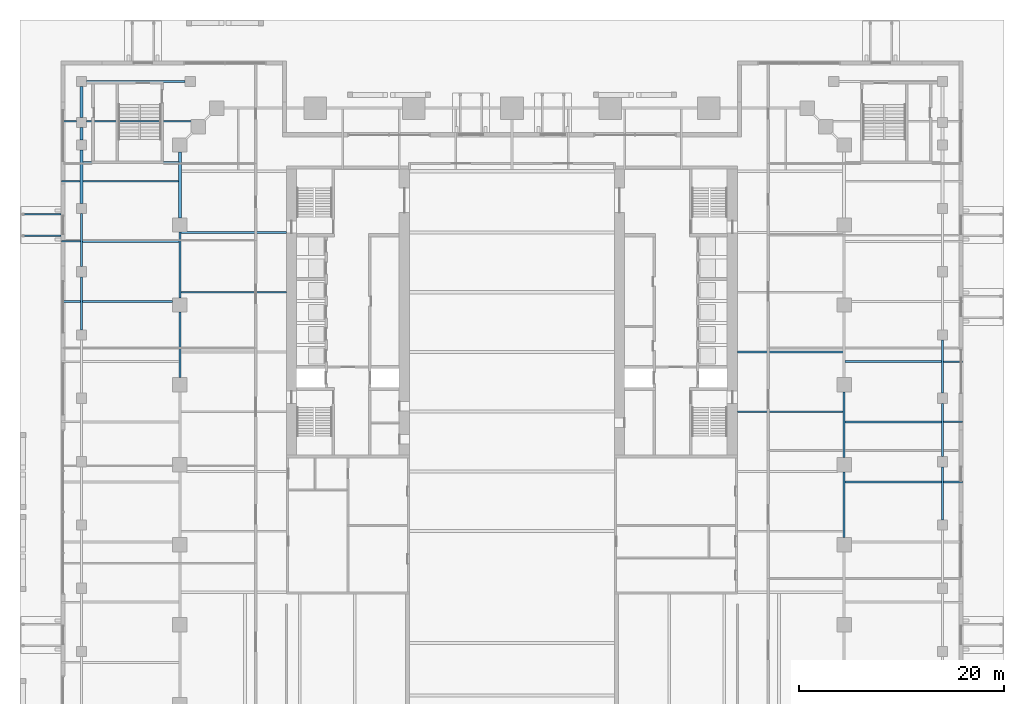
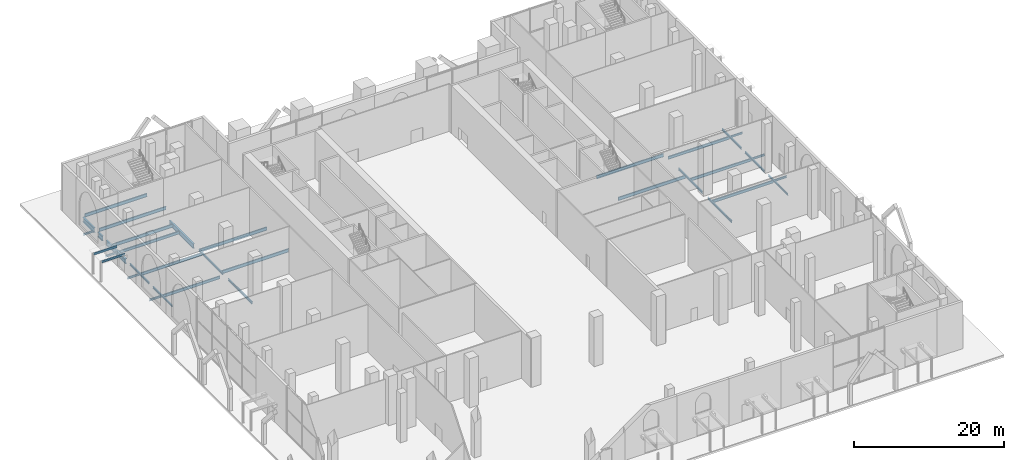
# One storey, part 22 of 38: 35 beams.
"""IFC4 building model written with IfcOpenShell, lengths in metres."""

from ifc_helpers import new_model, si_unit, direction, frame, origin, origin_2d, place, context, subcontext, project, spatial, i_section, extrude, material, material_profile, profile_set, type_object, element, save


model = new_model("IFC4")

# Units and contexts
model_context = context("Model", 3, precision=1e-05, world=origin(), true_north=direction((0.0, 1.0)))
body_context = subcontext(model_context, "Body", "Model", "MODEL_VIEW")
ifc_project = project(units=[si_unit("LENGTHUNIT", "METRE"), si_unit("AREAUNIT", "SQUARE_METRE"), si_unit("VOLUMEUNIT", "CUBIC_METRE"), si_unit("PLANEANGLEUNIT", "RADIAN"), si_unit("MASSUNIT", "GRAM", prefix="KILO")], contexts=[model_context])

# Site, building, storey
site_placement = place(None, origin())
site = spatial("IfcSite", under=ifc_project, at=site_placement, CompositionType="ELEMENT")
building_placement = place(site_placement, origin())
building = spatial("IfcBuilding", under=site, at=building_placement, Name="Ogive Exchange Tower", CompositionType="ELEMENT")
storey_placement = place(building_placement, origin())
storey = spatial("IfcBuildingStorey", under=building, at=storey_placement, Name="L00", CompositionType="ELEMENT", Elevation=0.0)

# Beams
ifc_material = material(Name="Steel ASTM A992 Gr50", Category="steel")
ifc_material_profile_1 = material_profile(ifc_material, i_section(OverallWidth=0.1650390625, OverallDepth=0.31005859375, WebThickness=0.005859375, FlangeThickness=0.009765625, at=origin_2d()), Name="W310x38.7")
ifc_profile_set_1 = profile_set([ifc_material_profile_1], Name="Steel ASTM A992 Gr50")
beam_type_1 = type_object("IfcBeamType", Name="Floor beam W310x38.7", PredefinedType="JOIST", material=ifc_profile_set_1)
for number, where, z_axis, x_axis, name in (
    (1, (42.08251953125, -5.066650390625, -0.455078125), (1.0, 0.0, 0.0), (0.0, 1.0, 0.0), "Floor beam"),
    (2, (42.08251953125, 0.800048828125, -0.455078125), (1.0, 0.0, 0.0), (0.0, 1.0, 0.0), "Floor beam"),
    (3, (42.08251953125, 6.666748046875, -0.455078125), (1.0, 0.0, 0.0), (0.0, 1.0, 0.0), "Floor beam"),
    (4, (-43.949951171875, 12.533203125, -0.455078125), (1.0, 0.0, 0.0), (0.0, 1.0, 0.0), "Floor beam"),
    (5, (-43.949951171875, 18.39990234375, -0.455078125), (1.0, 0.0, 0.0), (0.0, 1.0, 0.0), "Floor beam"),
):
    element("IfcBeam", number, at=place(storey_placement, frame(where, z_axis=z_axis, x_axis=x_axis)), inside=storey, type_object=beam_type_1, Name=name, PredefinedType="JOIST", context=body_context, shape_type="SweptSolid", body=[
        extrude(i_section(OverallWidth=0.1650390625, OverallDepth=0.31005859375, WebThickness=0.005859375, FlangeThickness=0.009765625, at=origin_2d()), origin(), (0.0, 0.0, 1.0), 1.867431640625),
    ])
beam_1_placement = place(storey_placement, frame((-43.949951171875, 24.2666015625, -0.455078125), z_axis=(1.0, 0.0, 0.0), x_axis=(0.0, 1.0, 0.0)))
element("IfcBeam", 6, at=beam_1_placement, inside=storey, type_object=beam_type_1, Name="Floor beam", PredefinedType="JOIST", context=body_context, shape_type="SweptSolid", body=[
    extrude(i_section(OverallWidth=0.1650390625, OverallDepth=0.31005859375, WebThickness=0.005859375, FlangeThickness=0.009765625, at=origin_2d()), origin(), (0.0, 0.0, 1.0), 1.81640625),
])
beam_2_placement = place(storey_placement, frame((-43.949951171875, 30.13330078125, -0.455078125), z_axis=(1.0, 0.0, 0.0), x_axis=(0.0, 1.0, 0.0)))
element("IfcBeam", 7, at=beam_2_placement, inside=storey, type_object=beam_type_1, Name="Floor beam", PredefinedType="JOIST", context=body_context, shape_type="SweptSolid", body=[
    extrude(i_section(OverallWidth=0.1650390625, OverallDepth=0.31005859375, WebThickness=0.005859375, FlangeThickness=0.009765625, at=origin_2d()), origin(), (0.0, 0.0, 1.0), 1.449951171875),
])
ifc_material_profile_2 = material_profile(ifc_material, i_section(OverallWidth=0.19091796875, OverallDepth=0.45703125, WebThickness=0.009033203125, FlangeThickness=0.014404296875, at=origin_2d()), Name="W460x74")
ifc_profile_set_2 = profile_set([ifc_material_profile_2], Name="Steel ASTM A992 Gr50")
beam_type_2 = type_object("IfcBeamType", Name="Floor beam W460x74", PredefinedType="JOIST", material=ifc_profile_set_2)
for number, where, z_axis, x_axis, name in (
    (8, (32.485595703125, -5.066650390625, -0.528564453125), (1.0, 0.0, 0.0), (0.0, 1.0, 0.0), "Floor beam"),
    (9, (32.485595703125, 0.800048828125, -0.528564453125), (1.0, 0.0, 0.0), (0.0, 1.0, 0.0), "Floor beam"),
    (10, (32.485595703125, 6.666748046875, -0.528564453125), (1.0, 0.0, 0.0), (0.0, 1.0, 0.0), "Floor beam"),
):
    element("IfcBeam", number, at=place(storey_placement, frame(where, z_axis=z_axis, x_axis=x_axis)), inside=storey, type_object=beam_type_2, Name=name, PredefinedType="JOIST", context=body_context, shape_type="SweptSolid", body=[
        extrude(i_section(OverallWidth=0.19091796875, OverallDepth=0.45703125, WebThickness=0.009033203125, FlangeThickness=0.014404296875, at=origin_2d()), origin(), (0.0, 0.0, 1.0), 9.431884765625),
    ])
beam_3_placement = place(storey_placement, frame((-41.91748046875, 12.533203125, -0.528564453125), z_axis=(1.0, 0.0, 0.0), x_axis=(0.0, 1.0, 0.0)))
element("IfcBeam", 11, at=beam_3_placement, inside=storey, type_object=beam_type_2, Name="Floor beam", PredefinedType="JOIST", context=body_context, shape_type="SweptSolid", body=[
    extrude(i_section(OverallWidth=0.19091796875, OverallDepth=0.45703125, WebThickness=0.009033203125, FlangeThickness=0.014404296875, at=origin_2d()), origin(), (0.0, 0.0, 1.0), 8.8173828125),
])
beam_4_placement = place(storey_placement, frame((-41.91748046875, 18.39990234375, -0.528564453125), z_axis=(1.0, 0.0, 0.0), x_axis=(0.0, 1.0, 0.0)))
element("IfcBeam", 12, at=beam_4_placement, inside=storey, type_object=beam_type_2, Name="Floor beam", PredefinedType="JOIST", context=body_context, shape_type="SweptSolid", body=[
    extrude(i_section(OverallWidth=0.19091796875, OverallDepth=0.45703125, WebThickness=0.009033203125, FlangeThickness=0.014404296875, at=origin_2d()), origin(), (0.0, 0.0, 1.0), 9.431884765625),
])
beam_5_placement = place(storey_placement, frame((-41.866455078125, 24.2666015625, -0.528564453125), z_axis=(1.0, 0.0, 0.0), x_axis=(0.0, 1.0, 0.0)))
element("IfcBeam", 13, at=beam_5_placement, inside=storey, type_object=beam_type_2, Name="Floor beam", PredefinedType="JOIST", context=body_context, shape_type="SweptSolid", body=[
    extrude(i_section(OverallWidth=0.19091796875, OverallDepth=0.45703125, WebThickness=0.009033203125, FlangeThickness=0.014404296875, at=origin_2d()), origin(), (0.0, 0.0, 1.0), 9.3330078125),
])
ifc_material_profile_3 = material_profile(ifc_material, i_section(OverallWidth=0.1669921875, OverallDepth=0.535888671875, WebThickness=0.01025390625, FlangeThickness=0.0166015625, at=origin_2d()), Name="W530x85")
ifc_profile_set_3 = profile_set([ifc_material_profile_3], Name="Steel ASTM A992 Gr50")
beam_type_3 = type_object("IfcBeamType", Name="Floor beam W530x85", PredefinedType="JOIST", material=ifc_profile_set_3)
for number, where, z_axis, x_axis, name in (
    (14, (22.0, 1.787109375, -0.568115234375), (1.0, 0.0, 0.0), (0.0, 1.0, 0.0), "Floor beam"),
    (15, (22.0, 7.61279296875, -0.568115234375), (1.0, 0.0, 0.0), (0.0, 1.0, 0.0), "Floor beam"),
    (16, (-32.344970703125, 13.438720703125, -0.568115234375), (1.0, 0.0, 0.0), (0.0, 1.0, 0.0), "Floor beam"),
    (17, (-32.344970703125, 19.264404296875, -0.568115234375), (1.0, 0.0, 0.0), (0.0, 1.0, 0.0), "Floor beam"),
):
    element("IfcBeam", number, at=place(storey_placement, frame(where, z_axis=z_axis, x_axis=x_axis)), inside=storey, type_object=beam_type_3, Name=name, PredefinedType="JOIST", context=body_context, shape_type="SweptSolid", body=[
        extrude(i_section(OverallWidth=0.1669921875, OverallDepth=0.535888671875, WebThickness=0.01025390625, FlangeThickness=0.0166015625, at=origin_2d()), origin(), (0.0, 0.0, 1.0), 10.344970703125),
    ])
beam_6_placement = place(storey_placement, frame((-41.5, 30.13330078125, -0.568115234375), z_axis=(1.0, 0.0, 0.0), x_axis=(0.0, 1.0, 0.0)))
element("IfcBeam", 18, at=beam_6_placement, inside=storey, type_object=beam_type_3, Name="Floor beam", PredefinedType="JOIST", context=body_context, shape_type="SweptSolid", body=[
    extrude(i_section(OverallWidth=0.1669921875, OverallDepth=0.535888671875, WebThickness=0.01025390625, FlangeThickness=0.0166015625, at=origin_2d()), origin(), (0.0, 0.0, 1.0), 10.300048828125),
])
ifc_material_profile_4 = material_profile(ifc_material, i_section(OverallWidth=0.1650390625, OverallDepth=0.31005859375, WebThickness=0.005859375, FlangeThickness=0.009765625, at=origin_2d()), Name="W310x38.7")
ifc_profile_set_4 = profile_set([ifc_material_profile_4], Name="Steel ASTM A992 Gr50")
beam_type_4 = type_object("IfcBeamType", Name="Girder W310x38.7", PredefinedType="BEAM", material=ifc_profile_set_4)
beam_7_placement = place(storey_placement, frame((42.0, -8.77001953125, -0.455078125), z_axis=(0.0, 1.0, 0.0), x_axis=(-1.0, 0.0, 0.0)))
element("IfcBeam", 19, at=beam_7_placement, inside=storey, type_object=beam_type_4, Name="Girder", PredefinedType="BEAM", context=body_context, shape_type="SweptSolid", body=[
    extrude(i_section(OverallWidth=0.1650390625, OverallDepth=0.31005859375, WebThickness=0.005859375, FlangeThickness=0.009765625, at=origin_2d()), origin(), (0.0, 0.0, 1.0), 5.179931640625),
])
beam_8_placement = place(storey_placement, frame((42.0, -2.590087890625, -0.455078125), z_axis=(0.0, 1.0, 0.0), x_axis=(-1.0, 0.0, 0.0)))
element("IfcBeam", 20, at=beam_8_placement, inside=storey, type_object=beam_type_4, Name="Girder", PredefinedType="BEAM", context=body_context, shape_type="SweptSolid", body=[
    extrude(i_section(OverallWidth=0.1650390625, OverallDepth=0.31005859375, WebThickness=0.005859375, FlangeThickness=0.009765625, at=origin_2d()), origin(), (0.0, 0.0, 1.0), 5.18017578125),
])
beam_9_placement = place(storey_placement, frame((42.0, 3.590087890625, -0.455078125), z_axis=(0.0, 1.0, 0.0), x_axis=(-1.0, 0.0, 0.0)))
element("IfcBeam", 21, at=beam_9_placement, inside=storey, type_object=beam_type_4, Name="Girder", PredefinedType="BEAM", context=body_context, shape_type="SweptSolid", body=[
    extrude(i_section(OverallWidth=0.1650390625, OverallDepth=0.31005859375, WebThickness=0.005859375, FlangeThickness=0.009765625, at=origin_2d()), origin(), (0.0, 0.0, 1.0), 5.179931640625),
])
beam_10_placement = place(storey_placement, frame((-42.0, 9.77001953125, -0.455078125), z_axis=(0.0, 1.0, 0.0), x_axis=(-1.0, 0.0, 0.0)))
element("IfcBeam", 22, at=beam_10_placement, inside=storey, type_object=beam_type_4, Name="Girder", PredefinedType="BEAM", context=body_context, shape_type="SweptSolid", body=[
    extrude(i_section(OverallWidth=0.1650390625, OverallDepth=0.31005859375, WebThickness=0.005859375, FlangeThickness=0.009765625, at=origin_2d()), origin(), (0.0, 0.0, 1.0), 5.169921875),
])
beam_11_placement = place(storey_placement, frame((-42.0, 15.93994140625, -0.455078125), z_axis=(0.0, 1.0, 0.0), x_axis=(-1.0, 0.0, 0.0)))
element("IfcBeam", 23, at=beam_11_placement, inside=storey, type_object=beam_type_4, Name="Girder", PredefinedType="BEAM", context=body_context, shape_type="SweptSolid", body=[
    extrude(i_section(OverallWidth=0.1650390625, OverallDepth=0.31005859375, WebThickness=0.005859375, FlangeThickness=0.009765625, at=origin_2d()), origin(), (0.0, 0.0, 1.0), 5.18017578125),
])
for number, where, z_axis, x_axis, name in (
    (24, (-44.0, 21.050048828125, 3.14501953125), (-1.0, 0.0, 0.0), (0.0, -1.0, 0.0), "Canopy beam"),
    (25, (-44.0, 18.949951171875, 3.14501953125), (-1.0, 0.0, 0.0), (0.0, -1.0, 0.0), "Canopy beam"),
):
    element("IfcBeam", number, at=place(storey_placement, frame(where, z_axis=z_axis, x_axis=x_axis)), inside=storey, type_object=beam_type_4, Name=name, PredefinedType="BEAM", context=body_context, shape_type="SweptSolid", body=[
        extrude(i_section(OverallWidth=0.1650390625, OverallDepth=0.31005859375, WebThickness=0.005859375, FlangeThickness=0.009765625, at=origin_2d()), origin(), (0.0, 0.0, 1.0), 3.598388671875),
    ])
ifc_material_profile_5 = material_profile(ifc_material, i_section(OverallWidth=0.1708984375, OverallDepth=0.35595703125, WebThickness=0.00732421875, FlangeThickness=0.01171875, at=origin_2d()), Name="W360x51")
ifc_profile_set_5 = profile_set([ifc_material_profile_5], Name="Steel ASTM A992 Gr50")
beam_type_5 = type_object("IfcBeamType", Name="Girder W360x51", PredefinedType="BEAM", material=ifc_profile_set_5)
beam_12_placement = place(storey_placement, frame((-32.39990234375, 19.300048828125, -0.47802734375), z_axis=(0.0, -1.0, 0.0), x_axis=(1.0, 0.0, 0.0)))
element("IfcBeam", 26, at=beam_12_placement, inside=storey, type_object=beam_type_5, Name="Girder", PredefinedType="BEAM", context=body_context, shape_type="SweptSolid", body=[
    extrude(i_section(OverallWidth=0.1708984375, OverallDepth=0.35595703125, WebThickness=0.00732421875, FlangeThickness=0.01171875, at=origin_2d()), origin(), (0.0, 0.0, 1.0), 6.400146484375),
])
for number, where, z_axis, x_axis, name in (
    (27, (-32.39990234375, 11.5, -0.47802734375), (0.0, -1.0, 0.0), (1.0, 0.0, 0.0), "Girder"),
    (28, (32.39990234375, -10.5, -0.47802734375), (0.0, 1.0, 0.0), (-1.0, 0.0, 0.0), "Girder"),
    (29, (32.39990234375, -2.699951171875, -0.47802734375), (0.0, 1.0, 0.0), (-1.0, 0.0, 0.0), "Girder"),
):
    element("IfcBeam", number, at=place(storey_placement, frame(where, z_axis=z_axis, x_axis=x_axis)), inside=storey, type_object=beam_type_5, Name=name, PredefinedType="BEAM", context=body_context, shape_type="SweptSolid", body=[
        extrude(i_section(OverallWidth=0.1708984375, OverallDepth=0.35595703125, WebThickness=0.00732421875, FlangeThickness=0.01171875, at=origin_2d()), origin(), (0.0, 0.0, 1.0), 6.39990234375),
    ])
ifc_material_profile_6 = material_profile(ifc_material, i_section(OverallWidth=0.1669921875, OverallDepth=0.535888671875, WebThickness=0.01025390625, FlangeThickness=0.0166015625, at=origin_2d()), Name="W530x85")
ifc_profile_set_6 = profile_set([ifc_material_profile_6], Name="Steel ASTM A992 Gr50")
beam_type_6 = type_object("IfcBeamType", Name="Girder W530x85", PredefinedType="BEAM", material=ifc_profile_set_6)
beam_13_placement = place(storey_placement, frame((-41.5, 34.0, -0.568115234375), z_axis=(1.0, 0.0, 0.0), x_axis=(0.0, 1.0, 0.0)))
element("IfcBeam", 30, at=beam_13_placement, inside=storey, type_object=beam_type_6, Name="Girder", PredefinedType="BEAM", context=body_context, shape_type="SweptSolid", body=[
    extrude(i_section(OverallWidth=0.1669921875, OverallDepth=0.535888671875, WebThickness=0.01025390625, FlangeThickness=0.0166015625, at=origin_2d()), origin(), (0.0, 0.0, 1.0), 9.60009765625),
])
beam_14_placement = place(storey_placement, frame((-41.922607421875, 26.125, -0.568115234375), z_axis=(1.0, 0.0, 0.0), x_axis=(0.0, 1.0, 0.0)))
element("IfcBeam", 31, at=beam_14_placement, inside=storey, type_object=beam_type_6, Name="Girder", PredefinedType="BEAM", context=body_context, shape_type="SweptSolid", body=[
    extrude(i_section(OverallWidth=0.1669921875, OverallDepth=0.535888671875, WebThickness=0.01025390625, FlangeThickness=0.0166015625, at=origin_2d()), origin(), (0.0, 0.0, 1.0), 9.4326171875),
])
ifc_material_profile_7 = material_profile(ifc_material, i_section(OverallWidth=0.26708984375, OverallDepth=0.75390625, WebThickness=0.01318359375, FlangeThickness=0.01708984375, at=origin_2d()), Name="W760x147")
ifc_profile_set_7 = profile_set([ifc_material_profile_7], Name="Steel ASTM A992 Gr50")
beam_type_7 = type_object("IfcBeamType", Name="Girder W760x147", PredefinedType="BEAM", material=ifc_profile_set_7)
beam_15_placement = place(storey_placement, frame((-32.39990234375, 27.10009765625, -0.677001953125), z_axis=(0.0, -1.0, 0.0), x_axis=(1.0, 0.0, 0.0)))
element("IfcBeam", 32, at=beam_15_placement, inside=storey, type_object=beam_type_7, Name="Girder", PredefinedType="BEAM", context=body_context, shape_type="SweptSolid", body=[
    extrude(i_section(OverallWidth=0.26708984375, OverallDepth=0.75390625, WebThickness=0.01318359375, FlangeThickness=0.01708984375, at=origin_2d()), origin(), (0.0, 0.0, 1.0), 6.400146484375),
])
beam_16_placement = place(storey_placement, frame((-42.0, 22.1201171875, -0.677001953125), z_axis=(0.0, 1.0, 0.0), x_axis=(-1.0, 0.0, 0.0)))
element("IfcBeam", 33, at=beam_16_placement, inside=storey, type_object=beam_type_7, Name="Girder", PredefinedType="BEAM", context=body_context, shape_type="SweptSolid", body=[
    extrude(i_section(OverallWidth=0.26708984375, OverallDepth=0.75390625, WebThickness=0.01318359375, FlangeThickness=0.01708984375, at=origin_2d()), origin(), (0.0, 0.0, 1.0), 5.179931640625),
])
beam_17_placement = place(storey_placement, frame((-42.0, 28.300048828125, -0.677001953125), z_axis=(0.0, 1.0, 0.0), x_axis=(-1.0, 0.0, 0.0)))
element("IfcBeam", 34, at=beam_17_placement, inside=storey, type_object=beam_type_7, Name="Girder", PredefinedType="BEAM", context=body_context, shape_type="SweptSolid", body=[
    extrude(i_section(OverallWidth=0.26708984375, OverallDepth=0.75390625, WebThickness=0.01318359375, FlangeThickness=0.01708984375, at=origin_2d()), origin(), (0.0, 0.0, 1.0), 1.199951171875),
])
beam_18_placement = place(storey_placement, frame((-42.0, 30.5, -0.677001953125), z_axis=(0.0, 1.0, 0.0), x_axis=(-1.0, 0.0, 0.0)))
element("IfcBeam", 35, at=beam_18_placement, inside=storey, type_object=beam_type_7, Name="Girder", PredefinedType="BEAM", context=body_context, shape_type="SweptSolid", body=[
    extrude(i_section(OverallWidth=0.26708984375, OverallDepth=0.75390625, WebThickness=0.01318359375, FlangeThickness=0.01708984375, at=origin_2d()), origin(), (0.0, 0.0, 1.0), 3.0),
])

save(model, "model.ifc")
